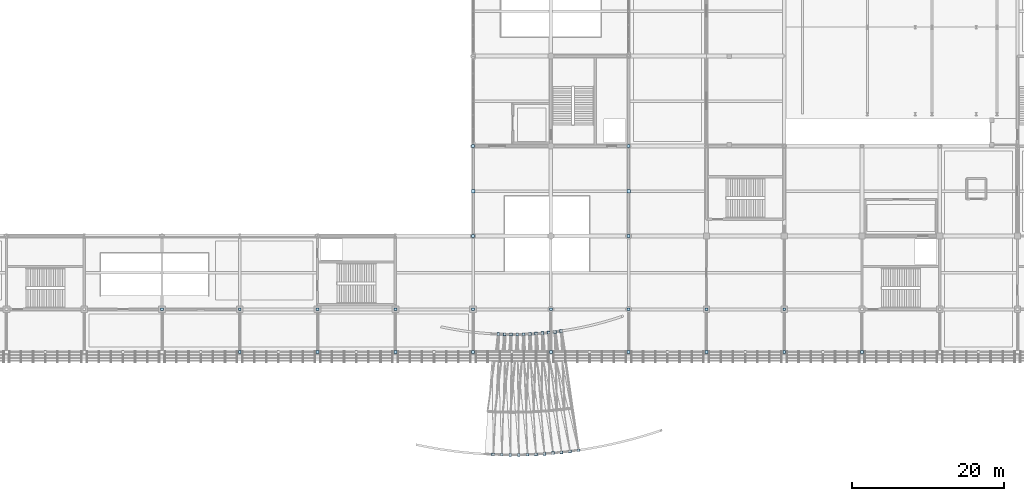
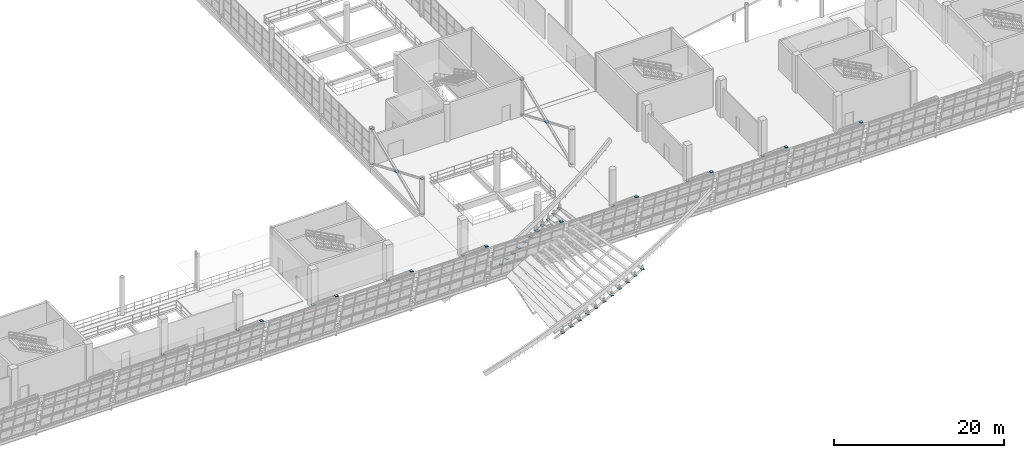
# One storey, part 125 of 175: 50 plates.
"""IFC4 building model written with IfcOpenShell, lengths in metres."""

from ifc_helpers import new_model, si_unit, direction, frame, origin, origin_2d, place, context, subcontext, project, spatial, rectangle, extrude, material, layer, layer_set, type_object, element, save


model = new_model("IFC4")

# Units and contexts
model_context = context("Model", 3, precision=1e-05, world=origin(), true_north=direction((0.0, 1.0)))
body_context = subcontext(model_context, "Body", "Model", "MODEL_VIEW")
ifc_project = project(units=[si_unit("LENGTHUNIT", "METRE"), si_unit("AREAUNIT", "SQUARE_METRE"), si_unit("VOLUMEUNIT", "CUBIC_METRE"), si_unit("PLANEANGLEUNIT", "RADIAN"), si_unit("MASSUNIT", "GRAM", prefix="KILO")], contexts=[model_context])

# Site, building, storey
site_placement = place(None, origin())
site = spatial("IfcSite", under=ifc_project, at=site_placement, CompositionType="ELEMENT")
building_placement = place(site_placement, origin())
building = spatial("IfcBuilding", under=site, at=building_placement, Name="Brelvane Convention Centre", CompositionType="ELEMENT")
storey_placement = place(building_placement, frame((0.0, 0.0, 5.39990234375)))
storey = spatial("IfcBuildingStorey", under=building, at=storey_placement, Name="L01", CompositionType="ELEMENT", Elevation=5.39990234375)

# Plates
ifc_material_1 = material(Name="Steel E450 (450 MPa)", Category="steel")
ifc_layer_1 = layer(ifc_material_1, 0.028076171875)
ifc_layer_set_1 = layer_set([ifc_layer_1], Name="Steel E450 (450 MPa)")
plate_type_1 = type_object("IfcPlateType", Name="Steel Node Gusset Plate ND-2", PredefinedType="SHEET", material=ifc_layer_set_1)
for number, where, z_axis, x_axis, name in (
    (1, (142.800048828125, 34.699951171875, 2.68603515625), (0.0, 0.0, 1.0), (1.0, 0.0, 0.0), "X-Brace Central Gusset V1E-1-L01"),
    (2, (163.199951171875, 34.699951171875, 2.68603515625), (0.0, 0.0, 1.0), (1.0, 0.0, 0.0), "X-Brace Central Gusset V2W-1-L01"),
):
    element("IfcPlate", number, at=place(storey_placement, frame(where, z_axis=z_axis, x_axis=x_axis)), inside=storey, type_object=plate_type_1, Name=name, PredefinedType="SHEET", context=body_context, shape_type="SweptSolid", body=[
        extrude(rectangle(XDim=0.4599609375, YDim=0.4599609375, at=origin_2d()), origin(), (0.0, 0.0, 1.0), 0.028076171875),
    ])
ifc_material_2 = material(Name="Steel E450 (450 MPa)", Category="steel")
ifc_layer_2 = layer(ifc_material_2, 0.02490234375)
ifc_layer_set_2 = layer_set([ifc_layer_2], Name="Steel E450 (450 MPa)")
plate_type_2 = type_object("IfcPlateType", Name="Steel Node Gusset Plate ND-3", PredefinedType="SHEET", material=ifc_layer_set_2)
for number, where, z_axis, x_axis, name in (
    (3, (102.0, 19.199951171875, 0.03759765625), (0.0, 0.0, 1.0), (1.0, 0.0, 0.0), "Raked Strut Node V1-L01-11-bot"),
    (4, (112.199951171875, 19.199951171875, 0.03759765625), (0.0, 0.0, 1.0), (1.0, 0.0, 0.0), "Raked Strut Node V1-L01-12-bot"),
    (5, (112.199951171875, 13.60009765625, 4.707763671875), (0.0, 0.0, 1.0), (1.0, 0.0, 0.0), "Raked Strut Node V1-L01-12-top"),
    (6, (122.39990234375, 19.199951171875, 0.03759765625), (0.0, 0.0, 1.0), (1.0, 0.0, 0.0), "Raked Strut Node V1-L01-13-bot"),
    (7, (122.39990234375, 13.60009765625, 4.707763671875), (0.0, 0.0, 1.0), (1.0, 0.0, 0.0), "Raked Strut Node V1-L01-13-top"),
    (8, (132.60009765625, 19.199951171875, 0.03759765625), (0.0, 0.0, 1.0), (1.0, 0.0, 0.0), "Raked Strut Node V1-L01-14-bot"),
    (9, (132.60009765625, 13.60009765625, 4.707763671875), (0.0, 0.0, 1.0), (1.0, 0.0, 0.0), "Raked Strut Node V1-L01-14-top"),
    (10, (142.800048828125, 19.199951171875, 0.03759765625), (0.0, 0.0, 1.0), (1.0, 0.0, 0.0), "Raked Strut Node V1-L01-15-bot"),
    (11, (142.800048828125, 13.60009765625, 4.707763671875), (0.0, 0.0, 1.0), (1.0, 0.0, 0.0), "Raked Strut Node V1-L01-15-top"),
    (12, (153.0, 19.199951171875, 0.03759765625), (0.0, 0.0, 1.0), (1.0, 0.0, 0.0), "Raked Strut Node V1-L01-16-bot"),
    (13, (153.0, 13.60009765625, 4.707763671875), (0.0, 0.0, 1.0), (1.0, 0.0, 0.0), "Raked Strut Node V1-L01-16-top"),
    (14, (163.199951171875, 19.199951171875, 0.03759765625), (0.0, 0.0, 1.0), (1.0, 0.0, 0.0), "Raked Strut Node V1-L01-17-bot"),
    (15, (163.199951171875, 13.60009765625, 4.707763671875), (0.0, 0.0, 1.0), (1.0, 0.0, 0.0), "Raked Strut Node V1-L01-17-top"),
    (16, (173.39990234375, 19.199951171875, 0.03759765625), (0.0, 0.0, 1.0), (1.0, 0.0, 0.0), "Raked Strut Node V1-L01-18-bot"),
    (17, (173.39990234375, 13.60009765625, 4.707763671875), (0.0, 0.0, 1.0), (1.0, 0.0, 0.0), "Raked Strut Node V1-L01-18-top"),
    (18, (183.60009765625, 19.199951171875, 0.03759765625), (0.0, 0.0, 1.0), (1.0, 0.0, 0.0), "Raked Strut Node V1-L01-19-bot"),
    (19, (183.60009765625, 13.60009765625, 4.707763671875), (0.0, 0.0, 1.0), (1.0, 0.0, 0.0), "Raked Strut Node V1-L01-19-top"),
    (20, (193.800048828125, 13.60009765625, 4.707763671875), (0.0, 0.0, 1.0), (1.0, 0.0, 0.0), "Raked Strut Node V1-L01-20-top"),
    (21, (154.3515625, 16.3544921875, 4.42724609375), (0.0, 0.0, 1.0), (1.0, 0.0, 0.0), "Canopy Rafter Cap 13-in"),
    (22, (156.601806640625, 0.715576171875, 4.42724609375), (0.0, 0.0, 1.0), (1.0, 0.0, 0.0), "Canopy Rafter Cap 13-out"),
    (23, (153.531982421875, 16.244384765625, 3.958740234375), (0.0, 0.0, 1.0), (1.0, 0.0, 0.0), "Canopy Rafter Cap 14-in"),
    (24, (155.49169921875, 0.56640625, 3.958740234375), (0.0, 0.0, 1.0), (1.0, 0.0, 0.0), "Canopy Rafter Cap 14-out"),
    (25, (152.71044921875, 16.1494140625, 3.48583984375), (0.0, 0.0, 1.0), (1.0, 0.0, 0.0), "Canopy Rafter Cap 15-in"),
    (26, (154.37890625, 0.437744140625, 3.48583984375), (0.0, 0.0, 1.0), (1.0, 0.0, 0.0), "Canopy Rafter Cap 15-out"),
    (27, (151.88720703125, 16.069580078125, 3.00830078125), (0.0, 0.0, 1.0), (1.0, 0.0, 0.0), "Canopy Rafter Cap 16-in"),
    (28, (153.26416015625, 0.329833984375, 3.00830078125), (0.0, 0.0, 1.0), (1.0, 0.0, 0.0), "Canopy Rafter Cap 16-out"),
    (29, (151.0625, 16.00537109375, 2.5263671875), (0.0, 0.0, 1.0), (1.0, 0.0, 0.0), "Canopy Rafter Cap 17-in"),
    (30, (152.147705078125, 0.24267578125, 2.5263671875), (0.0, 0.0, 1.0), (1.0, 0.0, 0.0), "Canopy Rafter Cap 17-out"),
    (31, (150.237060546875, 15.9560546875, 2.0400390625), (0.0, 0.0, 1.0), (1.0, 0.0, 0.0), "Canopy Rafter Cap 18-in"),
    (32, (151.029541015625, 0.176025390625, 2.0400390625), (0.0, 0.0, 1.0), (1.0, 0.0, 0.0), "Canopy Rafter Cap 18-out"),
    (33, (149.41064453125, 15.92236328125, 1.548828125), (0.0, 0.0, 1.0), (1.0, 0.0, 0.0), "Canopy Rafter Cap 19-in"),
    (34, (149.910400390625, 0.130126953125, 1.548828125), (0.0, 0.0, 1.0), (1.0, 0.0, 0.0), "Canopy Rafter Cap 19-out"),
    (35, (148.583740234375, 15.90380859375, 1.053466796875), (0.0, 0.0, 1.0), (1.0, 0.0, 0.0), "Canopy Rafter Cap 20-in"),
    (36, (148.79052734375, 0.105224609375, 1.053466796875), (0.0, 0.0, 1.0), (1.0, 0.0, 0.0), "Canopy Rafter Cap 20-out"),
    (37, (147.756591796875, 15.900634765625, 0.5537109375), (0.0, 0.0, 1.0), (1.0, 0.0, 0.0), "Canopy Rafter Cap 21-in"),
    (38, (147.670654296875, 0.100830078125, 0.5537109375), (0.0, 0.0, 1.0), (1.0, 0.0, 0.0), "Canopy Rafter Cap 21-out"),
    (39, (146.9296875, 15.912841796875, 0.04931640625), (0.0, 0.0, 1.0), (1.0, 0.0, 0.0), "Canopy Rafter Cap 22-in"),
    (40, (146.550537109375, 0.117431640625, 0.04931640625), (0.0, 0.0, 1.0), (1.0, 0.0, 0.0), "Canopy Rafter Cap 22-out"),
    (41, (146.103271484375, 15.9404296875, -0.459716796875), (0.0, 0.0, 1.0), (1.0, 0.0, 0.0), "Canopy Rafter Cap 23-in"),
    (42, (145.43115234375, 0.154541015625, -0.459716796875), (0.0, 0.0, 1.0), (1.0, 0.0, 0.0), "Canopy Rafter Cap 23-out"),
    (43, (142.800048828125, 28.800048828125, 0.187744140625), (0.0, 0.0, 1.0), (1.0, 0.0, 0.0), "X-Brace End Gusset V1E-1-L01-1"),
    (44, (142.800048828125, 40.60009765625, 5.187744140625), (0.0, 0.0, 1.0), (1.0, 0.0, 0.0), "X-Brace End Gusset V1E-1-L01-2"),
    (45, (142.800048828125, 40.60009765625, 0.187744140625), (0.0, 0.0, 1.0), (1.0, 0.0, 0.0), "X-Brace End Gusset V1E-1-L01-3"),
    (46, (142.800048828125, 28.800048828125, 5.187744140625), (0.0, 0.0, 1.0), (1.0, 0.0, 0.0), "X-Brace End Gusset V1E-1-L01-4"),
    (47, (163.199951171875, 28.800048828125, 0.187744140625), (0.0, 0.0, 1.0), (1.0, 0.0, 0.0), "X-Brace End Gusset V2W-1-L01-1"),
    (48, (163.199951171875, 40.60009765625, 5.187744140625), (0.0, 0.0, 1.0), (1.0, 0.0, 0.0), "X-Brace End Gusset V2W-1-L01-2"),
    (49, (163.199951171875, 40.60009765625, 0.187744140625), (0.0, 0.0, 1.0), (1.0, 0.0, 0.0), "X-Brace End Gusset V2W-1-L01-3"),
    (50, (163.199951171875, 28.800048828125, 5.187744140625), (0.0, 0.0, 1.0), (1.0, 0.0, 0.0), "X-Brace End Gusset V2W-1-L01-4"),
):
    element("IfcPlate", number, at=place(storey_placement, frame(where, z_axis=z_axis, x_axis=x_axis)), inside=storey, type_object=plate_type_2, Name=name, PredefinedType="SHEET", context=body_context, shape_type="SweptSolid", body=[
        extrude(rectangle(XDim=0.3798828125, YDim=0.3798828125, at=origin_2d()), origin(), (0.0, 0.0, 1.0), 0.02490234375),
    ])

save(model, "model.ifc")
